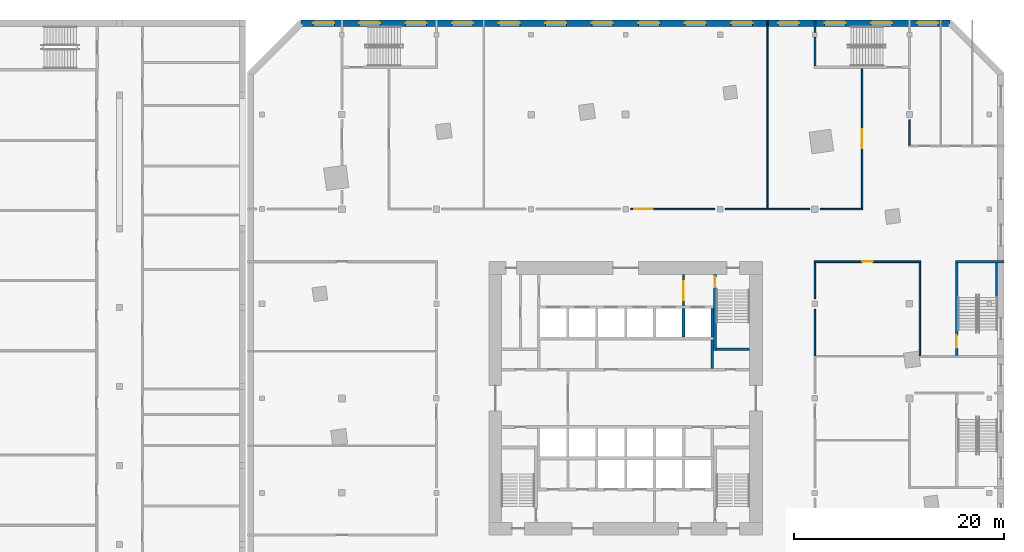
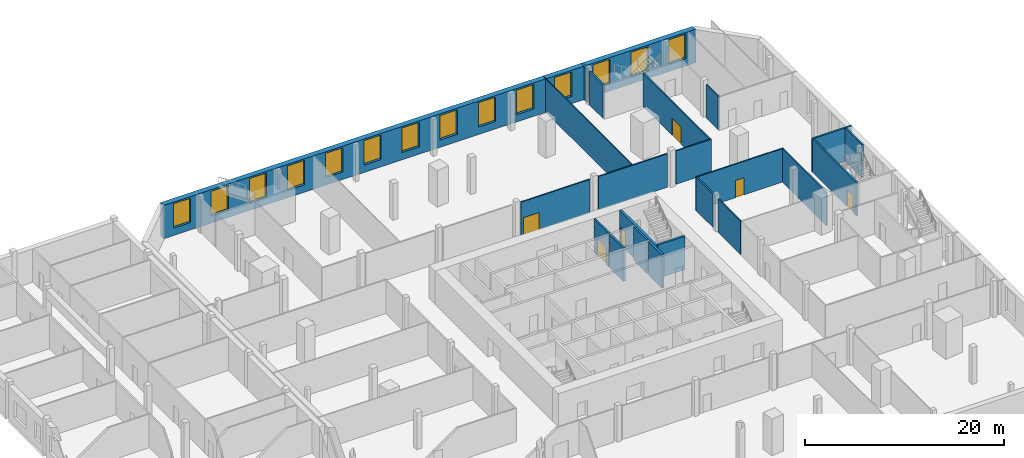
# One storey, part 12 of 18: 22 walls, 14 windows, 6 doors, 20 openings.
"""IFC4 building model written with IfcOpenShell, lengths in metres."""

from ifc_helpers import new_model, si_unit, direction, frame, frame_2d, origin, place, context, subcontext, project, spatial, rectangle, extrude, material, layer, layer_set, type_object, element, fill, save


model = new_model("IFC4")

# Units and contexts
model_context = context("Model", 3, precision=1e-05, world=origin(), true_north=direction((0.0, 1.0)))
body_context = subcontext(model_context, "Body", "Model", "MODEL_VIEW")
ifc_project = project(units=[si_unit("LENGTHUNIT", "METRE"), si_unit("AREAUNIT", "SQUARE_METRE"), si_unit("VOLUMEUNIT", "CUBIC_METRE"), si_unit("PLANEANGLEUNIT", "RADIAN"), si_unit("MASSUNIT", "GRAM", prefix="KILO")], contexts=[model_context])

# Site, building, storey
site_placement = place(None, origin())
site = spatial("IfcSite", under=ifc_project, at=site_placement, CompositionType="ELEMENT")
building_placement = place(site_placement, origin())
building = spatial("IfcBuilding", under=site, at=building_placement, Name="Dilmun Exchange Tower", CompositionType="ELEMENT")
storey_placement = place(building_placement, frame((0.0, 0.0, 13.5)))
storey = spatial("IfcBuildingStorey", under=building, at=storey_placement, Name="L03", CompositionType="ELEMENT", Elevation=13.5)

# Wall, opening, door
ifc_material_1 = material(Name="Concrete C40/50", Category="concrete")
ifc_layer_1 = layer(ifc_material_1, 0.199951171875)
ifc_layer_set_1 = layer_set([ifc_layer_1], Name="Concrete C40/50")
wall_type_1 = type_object("IfcWallType", Name="Core partition wall 200", PredefinedType="PARTITIONING", material=ifc_layer_set_1)
wall_1_placement = place(storey_placement, frame((5.5, 8.804931640625, 0.0), z_axis=(0.0, 0.0, 1.0), x_axis=(0.0, 1.0, 0.0)))
wall_1 = element("IfcWall", 1, at=wall_1_placement, inside=storey, type_object=wall_type_1, Name="L03 core partition wall 17", PredefinedType="PARTITIONING", context=body_context, shape_type="SweptSolid", body=[
    extrude(rectangle(XDim=2.989990234375, YDim=0.199951171875, at=frame_2d((1.4951171875, 0.0))), origin(), (0.0, 0.0, 1.0), 4.10009765625),
])
opening_1_placement = place(wall_1_placement, frame((0.532470703125, 0.0, 0.0)))
opening_1 = element("IfcOpeningElement", 2, at=opening_1_placement, cuts=wall_1, Name="Opening CD5", PredefinedType="OPENING", context=body_context, shape_type="SweptSolid", body=[
    extrude(rectangle(XDim=1.800048828125, YDim=2.10009765625, at=frame_2d((0.89990234375, 1.050048828125))), frame((0.0, 0.10986328125, 0.0), z_axis=(0.0, -1.0, 0.0), x_axis=(1.0, 0.0, 0.0)), (0.0, 0.0, 1.0), 0.219970703125),
])
ifc_material_2 = material(Name="Fire-rated steel door set", Category="steel")
door_type_1 = type_object("IfcDoorType", Name="Stair exit door 1800x2100", OperationType="SINGLE_SWING_LEFT", PredefinedType="DOOR", material=ifc_material_2)
door_1_placement = place(opening_1_placement, origin())
door_1 = element("IfcDoor", 3, at=door_1_placement, inside=storey, type_object=door_type_1, Name="L03 door Lift lobby east", OperationType="SINGLE_SWING_LEFT", OverallHeight=2.10009765625, OverallWidth=1.800048828125, PredefinedType="DOOR", context=body_context, shape_type="SweptSolid", body=[
    extrude(rectangle(XDim=1.800048828125, YDim=2.10009765625, at=frame_2d((0.89990234375, 1.050048828125))), frame((0.0, 0.02490234375, 0.0), z_axis=(0.0, -1.0, 0.0), x_axis=(1.0, 0.0, 0.0)), (0.0, 0.0, 1.0), 0.050048828125),
])
fill(opening_1, door_1)

# Wall
ifc_layer_2 = layer(ifc_material_1, 0.25)
ifc_layer_set_2 = layer_set([ifc_layer_2], Name="Concrete C40/50")
wall_type_2 = type_object("IfcWallType", Name="Core partition wall 250", PredefinedType="PARTITIONING", material=ifc_layer_set_2)
wall_2_placement = place(storey_placement, frame((8.25, 2.85498046875, 0.0), z_axis=(0.0, 0.0, 1.0), x_axis=(0.0, 1.0, 0.0)))
element("IfcWall", 4, at=wall_2_placement, inside=storey, type_object=wall_type_2, Name="L03 core partition wall 12", PredefinedType="PARTITIONING", context=body_context, shape_type="SweptSolid", body=[
    extrude(rectangle(XDim=2.68994140625, YDim=0.25, at=frame_2d((1.344970703125, 0.0))), origin(), (0.0, 0.0, 1.0), 4.10009765625),
])

# Wall, opening, door
ifc_material_3 = material(Name="Fire partition EI 60 150 gypsum")
ifc_layer_3 = layer(ifc_material_3, 0.14990234375)
ifc_layer_set_3 = layer_set([ifc_layer_3], Name="Fire partition EI 60 150 gypsum")
wall_type_3 = type_object("IfcWallType", Name="Fire partition EI 60 150 gypsum", PredefinedType="PARTITIONING", material=ifc_layer_set_3)
wall_3_placement = place(storey_placement, frame((17.925048828125, 13.0, 0.0), z_axis=(0.0, 0.0, 1.0), x_axis=(1.0, 0.0, 0.0)))
wall_3 = element("IfcWall", 5, at=wall_3_placement, inside=storey, type_object=wall_type_3, Name="L03 partition", PredefinedType="PARTITIONING", context=body_context, shape_type="SweptSolid", body=[
    extrude(rectangle(XDim=10.14990234375, YDim=0.14990234375, at=frame_2d((5.074951171875, 0.0))), origin(), (0.0, 0.0, 1.0), 4.10009765625),
])
opening_2_placement = place(wall_3_placement, frame((4.574951171875, 0.0, 0.0)))
opening_2 = element("IfcOpeningElement", 6, at=opening_2_placement, cuts=wall_3, Name="Opening L03-D022", PredefinedType="OPENING", context=body_context, shape_type="SweptSolid", body=[
    extrude(rectangle(XDim=1.0, YDim=2.10009765625, at=frame_2d((0.5, 1.050048828125))), frame((0.0, 0.0849609375, 0.0), z_axis=(0.0, -1.0, 0.0), x_axis=(1.0, 0.0, 0.0)), (0.0, 0.0, 1.0), 0.169921875),
])
ifc_material_4 = material(Name="Fire door FD60 1000 x 2100")
door_type_2 = type_object("IfcDoorType", Name="Fire door FD60 1000 x 2100", OperationType="SINGLE_SWING_LEFT", PredefinedType="DOOR", material=ifc_material_4)
door_2_placement = place(opening_2_placement, origin())
door_2 = element("IfcDoor", 7, at=door_2_placement, inside=storey, type_object=door_type_2, Name="L03 door L03-D022", OperationType="SINGLE_SWING_RIGHT", OverallHeight=2.10009765625, OverallWidth=1.0, PredefinedType="DOOR", context=body_context, shape_type="SweptSolid", body=[
    extrude(rectangle(XDim=1.0, YDim=2.10009765625, at=frame_2d((0.5, 1.050048828125))), frame((0.0, 0.02490234375, 0.0), z_axis=(0.0, -1.0, 0.0), x_axis=(1.0, 0.0, 0.0)), (0.0, 0.0, 1.0), 0.050048828125),
])
fill(opening_2, door_2)

wall_4_placement = place(storey_placement, frame((0.5, 18.0, 0.0), z_axis=(0.0, 0.0, 1.0), x_axis=(1.0, 0.0, 0.0)))
wall_4 = element("IfcWall", 8, at=wall_4_placement, inside=storey, type_object=wall_type_3, Name="L03 partition", PredefinedType="PARTITIONING", context=body_context, shape_type="SweptSolid", body=[
    extrude(rectangle(XDim=8.0, YDim=0.14990234375, at=frame_2d((4.0, 0.0))), origin(), (0.0, 0.0, 1.0), 4.10009765625),
])
opening_3_placement = place(wall_4_placement, frame((0.300048828125, 0.0, 0.0)))
opening_3 = element("IfcOpeningElement", 9, at=opening_3_placement, cuts=wall_4, Name="Opening L03-D011", PredefinedType="OPENING", context=body_context, shape_type="SweptSolid", body=[
    extrude(rectangle(XDim=1.800048828125, YDim=2.10009765625, at=frame_2d((0.89990234375, 1.050048828125))), frame((0.0, 0.0849609375, 0.0), z_axis=(0.0, -1.0, 0.0), x_axis=(1.0, 0.0, 0.0)), (0.0, 0.0, 1.0), 0.169921875),
])
ifc_material_5 = material(Name="Fire door FD60 double 1800 x 2100")
door_type_3 = type_object("IfcDoorType", Name="Fire door FD60 double 1800 x 2100", OperationType="DOUBLE_DOOR_SINGLE_SWING", PredefinedType="DOOR", material=ifc_material_5)
door_3_placement = place(opening_3_placement, origin())
door_3 = element("IfcDoor", 10, at=door_3_placement, inside=storey, type_object=door_type_3, Name="L03 door L03-D011", OperationType="DOUBLE_DOOR_SINGLE_SWING", OverallHeight=2.10009765625, OverallWidth=1.800048828125, PredefinedType="DOOR", context=body_context, shape_type="SweptSolid", body=[
    extrude(rectangle(XDim=1.800048828125, YDim=2.10009765625, at=frame_2d((0.89990234375, 1.050048828125))), frame((0.0, 0.02490234375, 0.0), z_axis=(0.0, -1.0, 0.0), x_axis=(1.0, 0.0, 0.0)), (0.0, 0.0, 1.0), 0.050048828125),
])
fill(opening_3, door_3)

# Walls
wall_5_placement = place(storey_placement, frame((9.5, 18.0, 0.0), z_axis=(0.0, 0.0, 1.0), x_axis=(1.0, 0.0, 0.0)))
element("IfcWall", 11, at=wall_5_placement, inside=storey, type_object=wall_type_3, Name="L03 partition", PredefinedType="PARTITIONING", context=body_context, shape_type="SweptSolid", body=[
    extrude(rectangle(XDim=8.0, YDim=0.14990234375, at=frame_2d((4.0, 0.0))), origin(), (0.0, 0.0, 1.0), 4.10009765625),
])
wall_6_placement = place(storey_placement, frame((18.5, 18.0, 0.0), z_axis=(0.0, 0.0, 1.0), x_axis=(1.0, 0.0, 0.0)))
element("IfcWall", 12, at=wall_6_placement, inside=storey, type_object=wall_type_3, Name="L03 partition", PredefinedType="PARTITIONING", context=body_context, shape_type="SweptSolid", body=[
    extrude(rectangle(XDim=4.074951171875, YDim=0.14990234375, at=frame_2d((2.03759765625, 0.0))), origin(), (0.0, 0.0, 1.0), 4.10009765625),
])
wall_7_placement = place(storey_placement, frame((18.0, 4.050048828125, 0.0), z_axis=(0.0, 0.0, 1.0), x_axis=(0.0, 1.0, 0.0)))
element("IfcWall", 13, at=wall_7_placement, inside=storey, type_object=wall_type_3, Name="L03 partition", PredefinedType="PARTITIONING", context=body_context, shape_type="SweptSolid", body=[
    extrude(rectangle(XDim=4.449951171875, YDim=0.14990234375, at=frame_2d((2.22509765625, 0.0))), origin(), (0.0, 0.0, 1.0), 4.10009765625),
])
wall_8_placement = place(storey_placement, frame((18.0, 9.5, 0.0), z_axis=(0.0, 0.0, 1.0), x_axis=(0.0, 1.0, 0.0)))
element("IfcWall", 14, at=wall_8_placement, inside=storey, type_object=wall_type_3, Name="L03 partition", PredefinedType="PARTITIONING", context=body_context, shape_type="SweptSolid", body=[
    extrude(rectangle(XDim=3.425048828125, YDim=0.14990234375, at=frame_2d((1.71240234375, 0.0))), origin(), (0.0, 0.0, 1.0), 4.10009765625),
])

# Wall, opening, door
wall_9_placement = place(storey_placement, frame((22.5, 18.074951171875, 0.0), z_axis=(0.0, 0.0, 1.0), x_axis=(0.0, 1.0, 0.0)))
wall_9 = element("IfcWall", 15, at=wall_9_placement, inside=storey, type_object=wall_type_3, Name="L03 partition", PredefinedType="PARTITIONING", context=body_context, shape_type="SweptSolid", body=[
    extrude(rectangle(XDim=13.324951171875, YDim=0.14990234375, at=frame_2d((6.66259765625, 0.0))), origin(), (0.0, 0.0, 1.0), 4.10009765625),
])
opening_4_placement = place(wall_9_placement, frame((5.72509765625, 0.0, 0.0)))
opening_4 = element("IfcOpeningElement", 16, at=opening_4_placement, cuts=wall_9, Name="Opening L03-D010", PredefinedType="OPENING", context=body_context, shape_type="SweptSolid", body=[
    extrude(rectangle(XDim=1.800048828125, YDim=2.10009765625, at=frame_2d((0.89990234375, 1.050048828125))), frame((0.0, 0.0849609375, 0.0), z_axis=(0.0, -1.0, 0.0), x_axis=(1.0, 0.0, 0.0)), (0.0, 0.0, 1.0), 0.169921875),
])
door_4_placement = place(opening_4_placement, origin())
door_4 = element("IfcDoor", 17, at=door_4_placement, inside=storey, type_object=door_type_3, Name="L03 door L03-D010", OperationType="DOUBLE_DOOR_SINGLE_SWING", OverallHeight=2.10009765625, OverallWidth=1.800048828125, PredefinedType="DOOR", context=body_context, shape_type="SweptSolid", body=[
    extrude(rectangle(XDim=1.800048828125, YDim=2.10009765625, at=frame_2d((0.89990234375, 1.050048828125))), frame((0.0, 0.02490234375, 0.0), z_axis=(0.0, -1.0, 0.0), x_axis=(1.0, 0.0, 0.0)), (0.0, 0.0, 1.0), 0.050048828125),
])
fill(opening_4, door_4)

# Walls
wall_10_placement = place(storey_placement, frame((27.0, 24.074951171875, 0.0), z_axis=(0.0, 0.0, 1.0), x_axis=(0.0, 1.0, 0.0)))
element("IfcWall", 18, at=wall_10_placement, inside=storey, type_object=wall_type_3, Name="L03 partition", PredefinedType="PARTITIONING", context=body_context, shape_type="SweptSolid", body=[
    extrude(rectangle(XDim=2.425048828125, YDim=0.14990234375, at=frame_2d((1.21240234375, 0.0))), origin(), (0.0, 0.0, 1.0), 4.10009765625),
])
wall_11_placement = place(storey_placement, frame((28.0, 4.074951171875, 0.0), z_axis=(0.0, 0.0, 1.0), x_axis=(0.0, 1.0, 0.0)))
element("IfcWall", 19, at=wall_11_placement, inside=storey, type_object=wall_type_3, Name="L03 partition", PredefinedType="PARTITIONING", context=body_context, shape_type="SweptSolid", body=[
    extrude(rectangle(XDim=8.85009765625, YDim=0.14990234375, at=frame_2d((4.425048828125, 0.0))), origin(), (0.0, 0.0, 1.0), 4.10009765625),
])
ifc_material_6 = material(Name="Fire wall EI 120 200 blockwork", Category="masonry")
ifc_layer_4 = layer(ifc_material_6, 0.199951171875)
ifc_layer_set_4 = layer_set([ifc_layer_4], Name="Fire wall EI 120 200 blockwork")
wall_type_4 = type_object("IfcWallType", Name="Fire wall EI 120 200 blockwork", PredefinedType="PARTITIONING", material=ifc_layer_set_4)
wall_12_placement = place(storey_placement, frame((31.39990234375, 13.0, 0.0), z_axis=(0.0, 0.0, 1.0), x_axis=(1.0, 0.0, 0.0)))
element("IfcWall", 20, at=wall_12_placement, inside=storey, type_object=wall_type_4, Name="L03 stair wall", PredefinedType="PARTITIONING", context=body_context, shape_type="SweptSolid", body=[
    extrude(rectangle(XDim=4.60009765625, YDim=0.199951171875, at=frame_2d((2.300048828125, 0.0))), origin(), (0.0, 0.0, 1.0), 4.10009765625),
])
wall_13_placement = place(storey_placement, frame((18.0, 31.60009765625, 0.0), z_axis=(0.0, 0.0, 1.0), x_axis=(0.0, 1.0, 0.0)))
element("IfcWall", 21, at=wall_13_placement, inside=storey, type_object=wall_type_4, Name="L03 stair wall", PredefinedType="PARTITIONING", context=body_context, shape_type="SweptSolid", body=[
    extrude(rectangle(XDim=2.77490234375, YDim=0.199951171875, at=frame_2d((1.387451171875, 0.0))), origin(), (0.0, 0.0, 1.0), 4.10009765625),
])
wall_14_placement = place(storey_placement, frame((18.0, 34.824951171875, 0.0), z_axis=(0.0, 0.0, 1.0), x_axis=(0.0, 1.0, 0.0)))
element("IfcWall", 22, at=wall_14_placement, inside=storey, type_object=wall_type_4, Name="L03 stair wall", PredefinedType="PARTITIONING", context=body_context, shape_type="SweptSolid", body=[
    extrude(rectangle(XDim=1.175048828125, YDim=0.199951171875, at=frame_2d((0.58740234375, 0.0))), origin(), (0.0, 0.0, 1.0), 4.10009765625),
])

# Wall, opening, door
wall_15_placement = place(storey_placement, frame((31.5, 4.10009765625, 0.0), z_axis=(0.0, 0.0, 1.0), x_axis=(0.0, 1.0, 0.0)))
wall_15 = element("IfcWall", 23, at=wall_15_placement, inside=storey, type_object=wall_type_4, Name="L03 stair wall", PredefinedType="PARTITIONING", context=body_context, shape_type="SweptSolid", body=[
    extrude(rectangle(XDim=8.7998046875, YDim=0.199951171875, at=frame_2d((4.39990234375, 0.0))), origin(), (0.0, 0.0, 1.0), 4.10009765625),
])
opening_5_placement = place(wall_15_placement, frame((0.699951171875, 0.0, 0.0)))
opening_5 = element("IfcOpeningElement", 24, at=opening_5_placement, cuts=wall_15, Name="Opening L03-D004", PredefinedType="OPENING", context=body_context, shape_type="SweptSolid", body=[
    extrude(rectangle(XDim=1.199951171875, YDim=2.10009765625, at=frame_2d((0.60009765625, 1.050048828125))), frame((0.0, 0.10986328125, 0.0), z_axis=(0.0, -1.0, 0.0), x_axis=(1.0, 0.0, 0.0)), (0.0, 0.0, 1.0), 0.219970703125),
])
ifc_material_7 = material(Name="Stair door FD90 1200 x 2100")
door_type_4 = type_object("IfcDoorType", Name="Stair door FD90 1200 x 2100", OperationType="SINGLE_SWING_LEFT", PredefinedType="DOOR", material=ifc_material_7)
door_5_placement = place(opening_5_placement, frame((1.199951171875, 0.0, 0.0), z_axis=(0.0, 0.0, 1.0), x_axis=(-1.0, 0.0, 0.0)))
door_5 = element("IfcDoor", 25, at=door_5_placement, inside=storey, type_object=door_type_4, Name="L03 door L03-D004", OperationType="SINGLE_SWING_RIGHT", OverallHeight=2.10009765625, OverallWidth=1.199951171875, PredefinedType="DOOR", context=body_context, shape_type="SweptSolid", body=[
    extrude(rectangle(XDim=1.199951171875, YDim=2.10009765625, at=frame_2d((0.60009765625, 1.050048828125))), frame((0.0, 0.02490234375, 0.0), z_axis=(0.0, -1.0, 0.0), x_axis=(1.0, 0.0, 0.0)), (0.0, 0.0, 1.0), 0.050048828125),
])
fill(opening_5, door_5)

# Walls
wall_16_placement = place(storey_placement, frame((35.298095703125, 9.58056640625, 0.0), z_axis=(0.0, 0.0, 1.0), x_axis=(0.0, 1.0, 0.0)))
element("IfcWall", 26, at=wall_16_placement, inside=storey, type_object=wall_type_4, Name="L03 stair landing wall", PredefinedType="PARTITIONING", context=body_context, shape_type="SweptSolid", body=[
    extrude(rectangle(XDim=3.309326171875, YDim=0.199951171875, at=frame_2d((1.65478515625, 0.0))), origin(), (0.0, 0.0, 1.0), 4.10009765625),
])
ifc_layer_5 = layer(ifc_material_1, 0.25)
ifc_layer_set_5 = layer_set([ifc_layer_5], Name="Concrete C40/50")
wall_type_5 = type_object("IfcWallType", Name="Lift shaft wall 250", PredefinedType="SOLIDWALL", material=ifc_layer_set_5)
for number, where, z_axis, x_axis, name in (
    (27, (5.5, 5.85009765625, 0.0), (0.0, 0.0, 1.0), (0.0, 1.0, 0.0), "L03 lift shaft divider N25"),
    (28, (8.25, 5.85009765625, 0.0), (0.0, 0.0, 1.0), (0.0, 1.0, 0.0), "L03 lift shaft divider N26"),
):
    element("IfcWall", number, at=place(storey_placement, frame(where, z_axis=z_axis, x_axis=x_axis)), inside=storey, type_object=wall_type_5, Name=name, PredefinedType="SOLIDWALL", context=body_context, shape_type="SweptSolid", body=[
        extrude(rectangle(XDim=2.699951171875, YDim=0.25, at=frame_2d((1.35009765625, 0.0))), origin(), (0.0, 0.0, 1.0), 4.10009765625),
    ])
ifc_material_8 = material(Name="Partition 100 gypsum")
ifc_layer_6 = layer(ifc_material_8, 0.10009765625)
ifc_layer_set_6 = layer_set([ifc_layer_6], Name="Partition 100 gypsum")
wall_type_6 = type_object("IfcWallType", Name="Partition 100 gypsum", PredefinedType="PARTITIONING", material=ifc_layer_set_6)
wall_17_placement = place(storey_placement, frame((13.5, 18.074951171875, 0.0), z_axis=(0.0, 0.0, 1.0), x_axis=(0.0, 1.0, 0.0)))
element("IfcWall", 29, at=wall_17_placement, inside=storey, type_object=wall_type_6, Name="L03 partition", PredefinedType="PARTITIONING", context=body_context, shape_type="SweptSolid", body=[
    extrude(rectangle(XDim=17.925048828125, YDim=0.10009765625, at=frame_2d((8.96240234375, 0.0))), origin(), (0.0, 0.0, 1.0), 4.10009765625),
])

# Wall, openings, windows
ifc_material_9 = material(Name="Precast concrete C50/60", Category="concrete")
ifc_layer_7 = layer(ifc_material_9, 0.60009765625)
ifc_layer_set_7 = layer_set([ifc_layer_7], Name="Precast concrete C50/60")
wall_type_7 = type_object("IfcWallType", Name="Precast stone-clad wall 600", PredefinedType="STANDARD", material=ifc_layer_set_7)
wall_18_placement = place(storey_placement, frame((30.875732421875, 35.699951171875, 0.0), z_axis=(0.0, 0.0, 1.0), x_axis=(-1.0, 0.0, 0.0)))
wall_18 = element("IfcWall", 30, at=wall_18_placement, inside=storey, type_object=wall_type_7, Name="Facade wall L03-04-0", PredefinedType="STANDARD", context=body_context, shape_type="SweptSolid", body=[
    extrude(rectangle(XDim=61.75146484375, YDim=0.60009765625, at=frame_2d((30.875732421875, 0.0))), origin(), (0.0, 0.0, 1.0), 4.10009765625),
])
opening_6_placement = place(wall_18_placement, frame((1.152099609375, 0.0, 0.89990234375)))
opening_6 = element("IfcOpeningElement", 31, at=opening_6_placement, cuts=wall_18, Name="Opening W200-300", PredefinedType="OPENING", context=body_context, shape_type="SweptSolid", body=[
    extrude(rectangle(XDim=2.0, YDim=3.0, at=frame_2d((1.0, 1.5))), frame((0.0, 0.31005859375, 0.0), z_axis=(0.0, -1.0, 0.0), x_axis=(1.0, 0.0, 0.0)), (0.0, 0.0, 1.0), 0.6201171875),
])
opening_7_placement = place(wall_18_placement, frame((5.5185546875, 0.0, 0.89990234375)))
opening_7 = element("IfcOpeningElement", 32, at=opening_7_placement, cuts=wall_18, Name="Opening W200-300", PredefinedType="OPENING", context=body_context, shape_type="SweptSolid", body=[
    extrude(rectangle(XDim=2.0, YDim=3.0, at=frame_2d((1.0, 1.5))), frame((0.0, 0.31005859375, 0.0), z_axis=(0.0, -1.0, 0.0), x_axis=(1.0, 0.0, 0.0)), (0.0, 0.0, 1.0), 0.6201171875),
])
opening_8_placement = place(wall_18_placement, frame((9.947265625, 0.0, 0.89990234375)))
opening_8 = element("IfcOpeningElement", 33, at=opening_8_placement, cuts=wall_18, Name="Opening W200-300", PredefinedType="OPENING", context=body_context, shape_type="SweptSolid", body=[
    extrude(rectangle(XDim=2.0, YDim=3.0, at=frame_2d((1.0, 1.5))), frame((0.0, 0.31005859375, 0.0), z_axis=(0.0, -1.0, 0.0), x_axis=(1.0, 0.0, 0.0)), (0.0, 0.0, 1.0), 0.6201171875),
])
opening_9_placement = place(wall_18_placement, frame((14.375732421875, 0.0, 0.89990234375)))
opening_9 = element("IfcOpeningElement", 34, at=opening_9_placement, cuts=wall_18, Name="Opening W200-300", PredefinedType="OPENING", context=body_context, shape_type="SweptSolid", body=[
    extrude(rectangle(XDim=2.0, YDim=3.0, at=frame_2d((1.0, 1.5))), frame((0.0, 0.31005859375, 0.0), z_axis=(0.0, -1.0, 0.0), x_axis=(1.0, 0.0, 0.0)), (0.0, 0.0, 1.0), 0.6201171875),
])
opening_10_placement = place(wall_18_placement, frame((18.80419921875, 0.0, 0.89990234375)))
opening_10 = element("IfcOpeningElement", 35, at=opening_10_placement, cuts=wall_18, Name="Opening W200-300", PredefinedType="OPENING", context=body_context, shape_type="SweptSolid", body=[
    extrude(rectangle(XDim=2.0, YDim=3.0, at=frame_2d((1.0, 1.5))), frame((0.0, 0.31005859375, 0.0), z_axis=(0.0, -1.0, 0.0), x_axis=(1.0, 0.0, 0.0)), (0.0, 0.0, 1.0), 0.6201171875),
])
opening_11_placement = place(wall_18_placement, frame((23.23291015625, 0.0, 0.89990234375)))
opening_11 = element("IfcOpeningElement", 36, at=opening_11_placement, cuts=wall_18, Name="Opening W200-300", PredefinedType="OPENING", context=body_context, shape_type="SweptSolid", body=[
    extrude(rectangle(XDim=2.0, YDim=3.0, at=frame_2d((1.0, 1.5))), frame((0.0, 0.31005859375, 0.0), z_axis=(0.0, -1.0, 0.0), x_axis=(1.0, 0.0, 0.0)), (0.0, 0.0, 1.0), 0.6201171875),
])
opening_12_placement = place(wall_18_placement, frame((27.66162109375, 0.0, 0.89990234375)))
opening_12 = element("IfcOpeningElement", 37, at=opening_12_placement, cuts=wall_18, Name="Opening W200-300", PredefinedType="OPENING", context=body_context, shape_type="SweptSolid", body=[
    extrude(rectangle(XDim=2.0, YDim=3.0, at=frame_2d((1.0, 1.5))), frame((0.0, 0.31005859375, 0.0), z_axis=(0.0, -1.0, 0.0), x_axis=(1.0, 0.0, 0.0)), (0.0, 0.0, 1.0), 0.6201171875),
])
opening_13_placement = place(wall_18_placement, frame((32.090087890625, 0.0, 0.89990234375)))
opening_13 = element("IfcOpeningElement", 38, at=opening_13_placement, cuts=wall_18, Name="Opening W200-300", PredefinedType="OPENING", context=body_context, shape_type="SweptSolid", body=[
    extrude(rectangle(XDim=2.0, YDim=3.0, at=frame_2d((1.0, 1.5))), frame((0.0, 0.31005859375, 0.0), z_axis=(0.0, -1.0, 0.0), x_axis=(1.0, 0.0, 0.0)), (0.0, 0.0, 1.0), 0.6201171875),
])
opening_14_placement = place(wall_18_placement, frame((36.5185546875, 0.0, 0.89990234375)))
opening_14 = element("IfcOpeningElement", 39, at=opening_14_placement, cuts=wall_18, Name="Opening W200-300", PredefinedType="OPENING", context=body_context, shape_type="SweptSolid", body=[
    extrude(rectangle(XDim=2.0, YDim=3.0, at=frame_2d((1.0, 1.5))), frame((0.0, 0.31005859375, 0.0), z_axis=(0.0, -1.0, 0.0), x_axis=(1.0, 0.0, 0.0)), (0.0, 0.0, 1.0), 0.6201171875),
])
opening_15_placement = place(wall_18_placement, frame((40.947265625, 0.0, 0.89990234375)))
opening_15 = element("IfcOpeningElement", 40, at=opening_15_placement, cuts=wall_18, Name="Opening W200-300", PredefinedType="OPENING", context=body_context, shape_type="SweptSolid", body=[
    extrude(rectangle(XDim=2.0, YDim=3.0, at=frame_2d((1.0, 1.5))), frame((0.0, 0.31005859375, 0.0), z_axis=(0.0, -1.0, 0.0), x_axis=(1.0, 0.0, 0.0)), (0.0, 0.0, 1.0), 0.6201171875),
])
opening_16_placement = place(wall_18_placement, frame((45.375732421875, 0.0, 0.89990234375)))
opening_16 = element("IfcOpeningElement", 41, at=opening_16_placement, cuts=wall_18, Name="Opening W200-300", PredefinedType="OPENING", context=body_context, shape_type="SweptSolid", body=[
    extrude(rectangle(XDim=2.0, YDim=3.0, at=frame_2d((1.0, 1.5))), frame((0.0, 0.31005859375, 0.0), z_axis=(0.0, -1.0, 0.0), x_axis=(1.0, 0.0, 0.0)), (0.0, 0.0, 1.0), 0.6201171875),
])
opening_17_placement = place(wall_18_placement, frame((49.80419921875, 0.0, 0.89990234375)))
opening_17 = element("IfcOpeningElement", 42, at=opening_17_placement, cuts=wall_18, Name="Opening W200-300", PredefinedType="OPENING", context=body_context, shape_type="SweptSolid", body=[
    extrude(rectangle(XDim=2.0, YDim=3.0, at=frame_2d((1.0, 1.5))), frame((0.0, 0.31005859375, 0.0), z_axis=(0.0, -1.0, 0.0), x_axis=(1.0, 0.0, 0.0)), (0.0, 0.0, 1.0), 0.6201171875),
])
opening_18_placement = place(wall_18_placement, frame((54.23291015625, 0.0, 0.89990234375)))
opening_18 = element("IfcOpeningElement", 43, at=opening_18_placement, cuts=wall_18, Name="Opening W200-300", PredefinedType="OPENING", context=body_context, shape_type="SweptSolid", body=[
    extrude(rectangle(XDim=2.0, YDim=3.0, at=frame_2d((1.0, 1.5))), frame((0.0, 0.31005859375, 0.0), z_axis=(0.0, -1.0, 0.0), x_axis=(1.0, 0.0, 0.0)), (0.0, 0.0, 1.0), 0.6201171875),
])
opening_19_placement = place(wall_18_placement, frame((58.599365234375, 0.0, 0.89990234375)))
opening_19 = element("IfcOpeningElement", 44, at=opening_19_placement, cuts=wall_18, Name="Opening W200-300", PredefinedType="OPENING", context=body_context, shape_type="SweptSolid", body=[
    extrude(rectangle(XDim=2.0, YDim=3.0, at=frame_2d((1.0, 1.5))), frame((0.0, 0.31005859375, 0.0), z_axis=(0.0, -1.0, 0.0), x_axis=(1.0, 0.0, 0.0)), (0.0, 0.0, 1.0), 0.6201171875),
])
ifc_material_10 = material(Name="Clear low-emissivity glass in aluminium frame", Category="aluminium")
window_type = type_object("IfcWindowType", Name="Punched window 2000 x 3000", PartitioningType="DOUBLE_PANEL_VERTICAL", PredefinedType="WINDOW", material=ifc_material_10)
window_1_placement = place(opening_6_placement, origin())
window_1 = element("IfcWindow", 45, at=window_1_placement, inside=storey, type_object=window_type, Name="Window 5.1", OverallHeight=3.0, OverallWidth=2.0, PartitioningType="SINGLE_PANEL", PredefinedType="WINDOW", context=body_context, shape_type="SweptSolid", body=[
    extrude(rectangle(XDim=2.0, YDim=3.0, at=frame_2d((1.0, 1.5))), frame((0.0, 0.030029296875, 0.0), z_axis=(0.0, -1.0, 0.0), x_axis=(1.0, 0.0, 0.0)), (0.0, 0.0, 1.0), 0.06005859375),
])
fill(opening_6, window_1)
window_2_placement = place(opening_7_placement, origin())
window_2 = element("IfcWindow", 46, at=window_2_placement, inside=storey, type_object=window_type, Name="Window 5.2", OverallHeight=3.0, OverallWidth=2.0, PartitioningType="SINGLE_PANEL", PredefinedType="WINDOW", context=body_context, shape_type="SweptSolid", body=[
    extrude(rectangle(XDim=2.0, YDim=3.0, at=frame_2d((1.0, 1.5))), frame((0.0, 0.030029296875, 0.0), z_axis=(0.0, -1.0, 0.0), x_axis=(1.0, 0.0, 0.0)), (0.0, 0.0, 1.0), 0.06005859375),
])
fill(opening_7, window_2)
window_3_placement = place(opening_8_placement, origin())
window_3 = element("IfcWindow", 47, at=window_3_placement, inside=storey, type_object=window_type, Name="Window 5.3", OverallHeight=3.0, OverallWidth=2.0, PartitioningType="SINGLE_PANEL", PredefinedType="WINDOW", context=body_context, shape_type="SweptSolid", body=[
    extrude(rectangle(XDim=2.0, YDim=3.0, at=frame_2d((1.0, 1.5))), frame((0.0, 0.030029296875, 0.0), z_axis=(0.0, -1.0, 0.0), x_axis=(1.0, 0.0, 0.0)), (0.0, 0.0, 1.0), 0.06005859375),
])
fill(opening_8, window_3)
window_4_placement = place(opening_9_placement, origin())
window_4 = element("IfcWindow", 48, at=window_4_placement, inside=storey, type_object=window_type, Name="Window 5.4", OverallHeight=3.0, OverallWidth=2.0, PartitioningType="SINGLE_PANEL", PredefinedType="WINDOW", context=body_context, shape_type="SweptSolid", body=[
    extrude(rectangle(XDim=2.0, YDim=3.0, at=frame_2d((1.0, 1.5))), frame((0.0, 0.030029296875, 0.0), z_axis=(0.0, -1.0, 0.0), x_axis=(1.0, 0.0, 0.0)), (0.0, 0.0, 1.0), 0.06005859375),
])
fill(opening_9, window_4)
window_5_placement = place(opening_10_placement, origin())
window_5 = element("IfcWindow", 49, at=window_5_placement, inside=storey, type_object=window_type, Name="Window 5.5", OverallHeight=3.0, OverallWidth=2.0, PartitioningType="SINGLE_PANEL", PredefinedType="WINDOW", context=body_context, shape_type="SweptSolid", body=[
    extrude(rectangle(XDim=2.0, YDim=3.0, at=frame_2d((1.0, 1.5))), frame((0.0, 0.030029296875, 0.0), z_axis=(0.0, -1.0, 0.0), x_axis=(1.0, 0.0, 0.0)), (0.0, 0.0, 1.0), 0.06005859375),
])
fill(opening_10, window_5)
window_6_placement = place(opening_11_placement, origin())
window_6 = element("IfcWindow", 50, at=window_6_placement, inside=storey, type_object=window_type, Name="Window 5.6", OverallHeight=3.0, OverallWidth=2.0, PartitioningType="SINGLE_PANEL", PredefinedType="WINDOW", context=body_context, shape_type="SweptSolid", body=[
    extrude(rectangle(XDim=2.0, YDim=3.0, at=frame_2d((1.0, 1.5))), frame((0.0, 0.030029296875, 0.0), z_axis=(0.0, -1.0, 0.0), x_axis=(1.0, 0.0, 0.0)), (0.0, 0.0, 1.0), 0.06005859375),
])
fill(opening_11, window_6)
window_7_placement = place(opening_12_placement, origin())
window_7 = element("IfcWindow", 51, at=window_7_placement, inside=storey, type_object=window_type, Name="Window 5.7", OverallHeight=3.0, OverallWidth=2.0, PartitioningType="SINGLE_PANEL", PredefinedType="WINDOW", context=body_context, shape_type="SweptSolid", body=[
    extrude(rectangle(XDim=2.0, YDim=3.0, at=frame_2d((1.0, 1.5))), frame((0.0, 0.030029296875, 0.0), z_axis=(0.0, -1.0, 0.0), x_axis=(1.0, 0.0, 0.0)), (0.0, 0.0, 1.0), 0.06005859375),
])
fill(opening_12, window_7)
window_8_placement = place(opening_13_placement, origin())
window_8 = element("IfcWindow", 52, at=window_8_placement, inside=storey, type_object=window_type, Name="Window 5.8", OverallHeight=3.0, OverallWidth=2.0, PartitioningType="SINGLE_PANEL", PredefinedType="WINDOW", context=body_context, shape_type="SweptSolid", body=[
    extrude(rectangle(XDim=2.0, YDim=3.0, at=frame_2d((1.0, 1.5))), frame((0.0, 0.030029296875, 0.0), z_axis=(0.0, -1.0, 0.0), x_axis=(1.0, 0.0, 0.0)), (0.0, 0.0, 1.0), 0.06005859375),
])
fill(opening_13, window_8)
window_9_placement = place(opening_14_placement, origin())
window_9 = element("IfcWindow", 53, at=window_9_placement, inside=storey, type_object=window_type, Name="Window 5.9", OverallHeight=3.0, OverallWidth=2.0, PartitioningType="SINGLE_PANEL", PredefinedType="WINDOW", context=body_context, shape_type="SweptSolid", body=[
    extrude(rectangle(XDim=2.0, YDim=3.0, at=frame_2d((1.0, 1.5))), frame((0.0, 0.030029296875, 0.0), z_axis=(0.0, -1.0, 0.0), x_axis=(1.0, 0.0, 0.0)), (0.0, 0.0, 1.0), 0.06005859375),
])
fill(opening_14, window_9)
window_10_placement = place(opening_15_placement, origin())
window_10 = element("IfcWindow", 54, at=window_10_placement, inside=storey, type_object=window_type, Name="Window 5.10", OverallHeight=3.0, OverallWidth=2.0, PartitioningType="SINGLE_PANEL", PredefinedType="WINDOW", context=body_context, shape_type="SweptSolid", body=[
    extrude(rectangle(XDim=2.0, YDim=3.0, at=frame_2d((1.0, 1.5))), frame((0.0, 0.030029296875, 0.0), z_axis=(0.0, -1.0, 0.0), x_axis=(1.0, 0.0, 0.0)), (0.0, 0.0, 1.0), 0.06005859375),
])
fill(opening_15, window_10)
window_11_placement = place(opening_16_placement, origin())
window_11 = element("IfcWindow", 55, at=window_11_placement, inside=storey, type_object=window_type, Name="Window 5.11", OverallHeight=3.0, OverallWidth=2.0, PartitioningType="SINGLE_PANEL", PredefinedType="WINDOW", context=body_context, shape_type="SweptSolid", body=[
    extrude(rectangle(XDim=2.0, YDim=3.0, at=frame_2d((1.0, 1.5))), frame((0.0, 0.030029296875, 0.0), z_axis=(0.0, -1.0, 0.0), x_axis=(1.0, 0.0, 0.0)), (0.0, 0.0, 1.0), 0.06005859375),
])
fill(opening_16, window_11)
window_12_placement = place(opening_17_placement, origin())
window_12 = element("IfcWindow", 56, at=window_12_placement, inside=storey, type_object=window_type, Name="Window 5.12", OverallHeight=3.0, OverallWidth=2.0, PartitioningType="SINGLE_PANEL", PredefinedType="WINDOW", context=body_context, shape_type="SweptSolid", body=[
    extrude(rectangle(XDim=2.0, YDim=3.0, at=frame_2d((1.0, 1.5))), frame((0.0, 0.030029296875, 0.0), z_axis=(0.0, -1.0, 0.0), x_axis=(1.0, 0.0, 0.0)), (0.0, 0.0, 1.0), 0.06005859375),
])
fill(opening_17, window_12)
window_13_placement = place(opening_18_placement, origin())
window_13 = element("IfcWindow", 57, at=window_13_placement, inside=storey, type_object=window_type, Name="Window 5.13", OverallHeight=3.0, OverallWidth=2.0, PartitioningType="SINGLE_PANEL", PredefinedType="WINDOW", context=body_context, shape_type="SweptSolid", body=[
    extrude(rectangle(XDim=2.0, YDim=3.0, at=frame_2d((1.0, 1.5))), frame((0.0, 0.030029296875, 0.0), z_axis=(0.0, -1.0, 0.0), x_axis=(1.0, 0.0, 0.0)), (0.0, 0.0, 1.0), 0.06005859375),
])
fill(opening_18, window_13)
window_14_placement = place(opening_19_placement, origin())
window_14 = element("IfcWindow", 58, at=window_14_placement, inside=storey, type_object=window_type, Name="Window 5.14", OverallHeight=3.0, OverallWidth=2.0, PartitioningType="SINGLE_PANEL", PredefinedType="WINDOW", context=body_context, shape_type="SweptSolid", body=[
    extrude(rectangle(XDim=2.0, YDim=3.0, at=frame_2d((1.0, 1.5))), frame((0.0, 0.030029296875, 0.0), z_axis=(0.0, -1.0, 0.0), x_axis=(1.0, 0.0, 0.0)), (0.0, 0.0, 1.0), 0.06005859375),
])
fill(opening_19, window_14)

# Wall
ifc_layer_8 = layer(ifc_material_1, 0.25)
ifc_layer_set_8 = layer_set([ifc_layer_8], Name="Concrete C40/50")
wall_type_8 = type_object("IfcWallType", Name="Stair end wall 250", PredefinedType="SOLIDWALL", material=ifc_layer_set_8)
wall_19_placement = place(storey_placement, frame((8.64990234375, 4.675048828125, 0.0), z_axis=(0.0, 0.0, 1.0), x_axis=(1.0, 0.0, 0.0)))
element("IfcWall", 59, at=wall_19_placement, inside=storey, type_object=wall_type_8, Name="L03 ST1 far wall", PredefinedType="SOLIDWALL", context=body_context, shape_type="SweptSolid", body=[
    extrude(rectangle(XDim=3.150146484375, YDim=0.25, at=frame_2d((1.5751953125, 0.0))), origin(), (0.0, 0.0, 1.0), 4.10009765625),
])

# Wall, opening, door
ifc_layer_9 = layer(ifc_material_1, 0.27490234375)
ifc_layer_set_9 = layer_set([ifc_layer_9], Name="Concrete C40/50")
wall_type_9 = type_object("IfcWallType", Name="Stair wall 275", PredefinedType="SOLIDWALL", material=ifc_layer_set_9)
wall_20_placement = place(storey_placement, frame((8.512451171875, 4.550048828125, 0.0), z_axis=(0.0, 0.0, 1.0), x_axis=(0.0, 1.0, 0.0)))
wall_20 = element("IfcWall", 60, at=wall_20_placement, inside=storey, type_object=wall_type_9, Name="L03 ST1 wall to lift block", PredefinedType="SOLIDWALL", context=body_context, shape_type="SweptSolid", body=[
    extrude(rectangle(XDim=7.25, YDim=0.27490234375, at=frame_2d((3.625, 0.0))), origin(), (0.0, 0.0, 1.0), 4.10009765625),
])
opening_20_placement = place(wall_20_placement, frame((6.0, 0.0, 0.0)))
opening_20 = element("IfcOpeningElement", 61, at=opening_20_placement, cuts=wall_20, Name="Opening CD4", PredefinedType="OPENING", context=body_context, shape_type="SweptSolid", body=[
    extrude(rectangle(XDim=1.0, YDim=2.10009765625, at=frame_2d((0.5, 1.050048828125))), frame((0.0, 0.1474609375, 0.0), z_axis=(0.0, -1.0, 0.0), x_axis=(1.0, 0.0, 0.0)), (0.0, 0.0, 1.0), 0.294921875),
])
door_type_5 = type_object("IfcDoorType", Name="Core room door 1000x2100", OperationType="SINGLE_SWING_LEFT", PredefinedType="DOOR", material=ifc_material_2)
door_6_placement = place(opening_20_placement, origin())
door_6 = element("IfcDoor", 62, at=door_6_placement, inside=storey, type_object=door_type_5, Name="L03 door ST1 from lobby", OperationType="SINGLE_SWING_LEFT", OverallHeight=2.10009765625, OverallWidth=1.0, PredefinedType="DOOR", context=body_context, shape_type="SweptSolid", body=[
    extrude(rectangle(XDim=1.0, YDim=2.10009765625, at=frame_2d((0.5, 1.050048828125))), frame((0.0, 0.02490234375, 0.0), z_axis=(0.0, -1.0, 0.0), x_axis=(1.0, 0.0, 0.0)), (0.0, 0.0, 1.0), 0.050048828125),
])
fill(opening_20, door_6)

save(model, "model.ifc")
